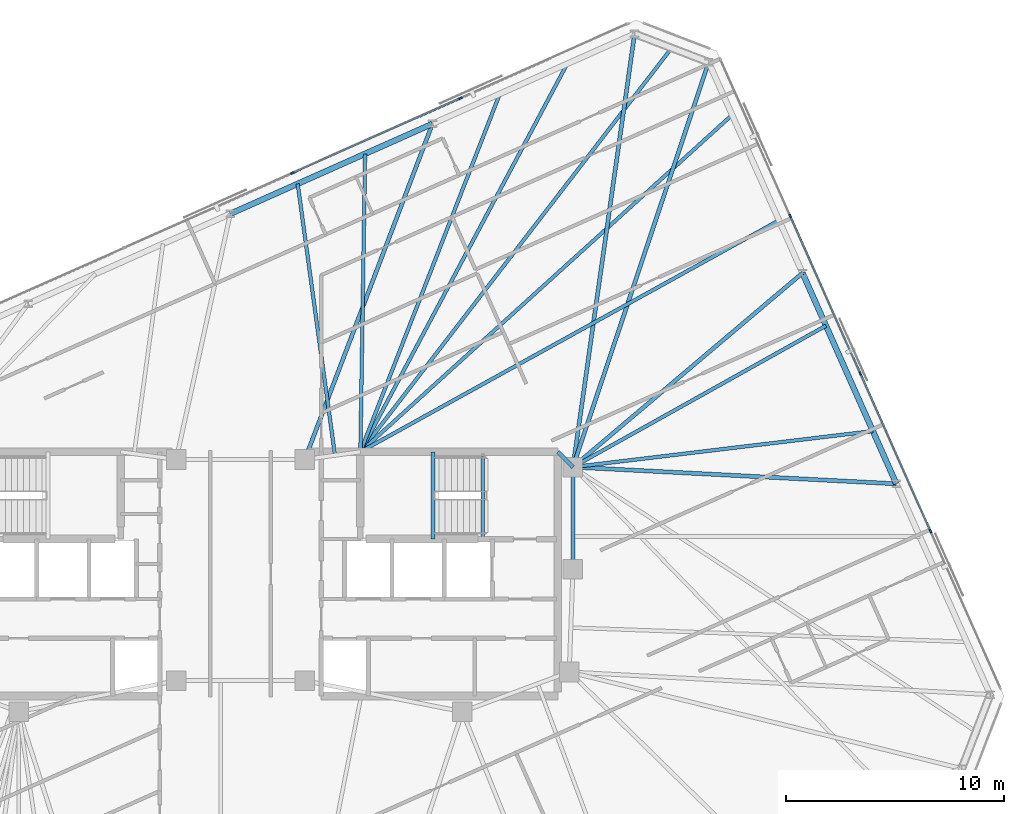
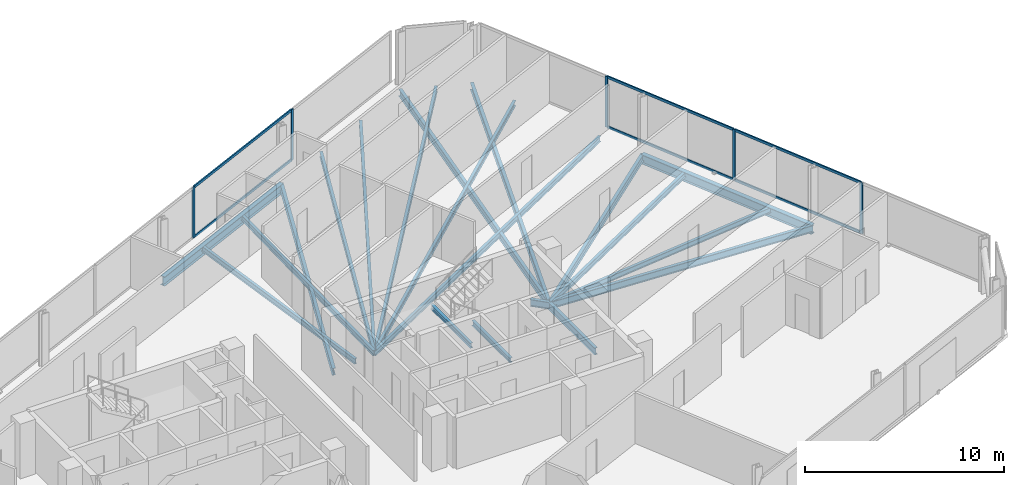
# One storey, part 10 of 19: 20 beams, 11 members, 2 elements without a shape of their own.
"""IFC4 building model written with IfcOpenShell, lengths in metres."""

import ifcopenshell
import ifcopenshell.guid

model = None  # the IFC model being written
_history = None  # IfcOwnerHistory: only IFC2X3 demands one
_inside = {}  # id of a spatial element -> (the spatial element, [elements in it])
_under = {}  # id of a project, library or spatial element -> (it, [spatial elements below it])
_declared = {}  # id of a project -> (the project, [libraries it declares])
_typed = {}  # id of a type object -> (the type object, [elements of that type])
_made_of = {}  # id of a material, layer set ... -> (it, [elements and type objects made of it])


def new_model(schema):
    """Start an empty IFC model of exactly this schema.

    Asked for "IFC4X3", IfcOpenShell would pick the latest addendum, in which some entities
    have other attributes; the version numbers below select the first issue.
    IFC2X3 requires an IfcOwnerHistory on every rooted entity: one is made here for all.
    """
    global model, _history
    if schema == "IFC4X3":
        model = ifcopenshell.file(schema_version=(4, 3, 0, 0))
    else:
        model = ifcopenshell.file(schema=schema)
    _inside.clear()
    _under.clear()
    _declared.clear()
    _typed.clear()
    _made_of.clear()
    _history = None
    if model.schema == "IFC2X3":
        org = make("IfcOrganization", Name="unknown")
        user = make(
            "IfcPersonAndOrganization",
            ThePerson=make("IfcPerson", FamilyName="unknown"),
            TheOrganization=org,
        )
        app = make(
            "IfcApplication",
            ApplicationDeveloper=org,
            Version="unknown",
            ApplicationFullName="unknown",
            ApplicationIdentifier="unknown",
        )
        _history = make(
            "IfcOwnerHistory",
            OwningUser=user,
            OwningApplication=app,
            ChangeAction="ADDED",
            CreationDate=0,
        )
    return model


def make(cls, **values):
    """One entity of the class cls with the attributes given. An attribute that is None is left unset."""
    return model.create_entity(
        cls, **{name: value for name, value in values.items() if value is not None}
    )


def rooted(cls, **values):
    """An entity with a GlobalId (a new one), such as an element, a storey or a relation."""
    return make(cls, GlobalId=ifcopenshell.guid.new(), OwnerHistory=_history, **values)


def si_unit(unit_type, name, prefix=None):
    """IfcSIUnit, for example si_unit("LENGTHUNIT", "METRE", prefix="MILLI")."""
    return make("IfcSIUnit", UnitType=unit_type, Prefix=prefix, Name=name)


def assignment(units):
    """IfcUnitAssignment: the units of a project."""
    return None if units is None else make("IfcUnitAssignment", Units=units)


def point(xyz):
    """IfcCartesianPoint."""
    return None if xyz is None else make("IfcCartesianPoint", Coordinates=xyz)


def direction(xyz):
    """IfcDirection."""
    return None if xyz is None else make("IfcDirection", DirectionRatios=xyz)


def frame(location, z_axis=None, x_axis=None):
    """IfcAxis2Placement3D, a coordinate frame: its origin and axes. An axis left out is left unset."""
    return make(
        "IfcAxis2Placement3D",
        Location=point(location),
        Axis=direction(z_axis),
        RefDirection=direction(x_axis),
    )


def frame_2d(location, x_axis=None):
    """IfcAxis2Placement2D, a coordinate frame in the plane: its origin and x axis."""
    return make(
        "IfcAxis2Placement2D", Location=point(location), RefDirection=direction(x_axis)
    )


def origin():
    """The frame at (0, 0, 0) with its axes left unset."""
    return frame((0.0, 0.0, 0.0))


def origin_2d():
    """The frame at (0, 0) in the plane with its x axis left unset."""
    return frame_2d((0.0, 0.0))


def place(relative_to, where):
    """IfcLocalPlacement: puts the frame where relative to a parent placement (None: the world)."""
    return make(
        "IfcLocalPlacement", PlacementRelTo=relative_to, RelativePlacement=where
    )


def context(
    kind, dimensions, precision=None, world=None, true_north=None, identifier=None
):
    """IfcGeometricRepresentationContext, for example the 3D "Model" context."""
    return make(
        "IfcGeometricRepresentationContext",
        ContextIdentifier=identifier,
        ContextType=kind,
        CoordinateSpaceDimension=dimensions,
        Precision=precision,
        WorldCoordinateSystem=world,
        TrueNorth=true_north,
    )


def subcontext(parent, identifier, kind, view, scale=None):
    """IfcGeometricRepresentationSubContext, for example "Body" below "Model"."""
    return make(
        "IfcGeometricRepresentationSubContext",
        ContextIdentifier=identifier,
        ContextType=kind,
        ParentContext=parent,
        TargetScale=scale,
        TargetView=view,
    )


def project(units=None, contexts=None):
    """IfcProject with its units and contexts."""
    return rooted(
        "IfcProject",
        Name="project",
        RepresentationContexts=contexts,
        UnitsInContext=assignment(units),
    )


def spatial(cls, under=None, at=None, **own):
    """A site, building, storey or space (cls), placed at a placement, below another one or the project."""
    s = rooted(cls, ObjectPlacement=at, **own)
    if under is not None:
        _under.setdefault(under.id(), (under, []))[1].append(s)
    return s


def profile(cls, at=None, kind="AREA", **sizes):
    """A parametric profile (cls). Its sizes go by their IFC names, for example OverallWidth=200.0."""
    return make(cls, ProfileType=kind, Position=at, **sizes)


def rectangle(**sizes):
    """IfcRectangleProfileDef."""
    return profile("IfcRectangleProfileDef", **sizes)


def i_section(**sizes):
    """IfcIShapeProfileDef."""
    return profile("IfcIShapeProfileDef", **sizes)


def extrude(swept, where, along, depth):
    """IfcExtrudedAreaSolid: the profile swept, set in the frame where, extruded along a direction by depth."""
    return make(
        "IfcExtrudedAreaSolid",
        SweptArea=swept,
        Position=where,
        ExtrudedDirection=direction(along),
        Depth=depth,
    )


def shape(context_of_items, identifier, shape_type, items):
    """IfcShapeRepresentation: the items that make up one representation, for example the "Body"."""
    return make(
        "IfcShapeRepresentation",
        ContextOfItems=context_of_items,
        RepresentationIdentifier=identifier,
        RepresentationType=shape_type,
        Items=items,
    )


def material(Name=None, Category=None):
    """IfcMaterial."""
    return make("IfcMaterial", Name=Name, Category=Category)


def material_profile(
    of_material, cross_section, Name=None, Category=None, Priority=None
):
    """IfcMaterialProfile: a cross section and its material."""
    return make(
        "IfcMaterialProfile",
        Name=Name,
        Material=of_material,
        Profile=cross_section,
        Priority=Priority,
        Category=Category,
    )


def profile_set(profiles, Name=None, composite=None):
    """IfcMaterialProfileSet."""
    return make(
        "IfcMaterialProfileSet",
        Name=Name,
        MaterialProfiles=profiles,
        CompositeProfile=composite,
    )


def made_of(thing, what):
    """Note that an element or type object is made of a material, layer set ...; save() writes the relation."""
    if what is not None:
        _made_of.setdefault(what.id(), (what, []))[1].append(thing)
    return thing


def type_object(cls, material=None, **own):
    """A type object (cls), such as IfcWallType, which elements share."""
    return made_of(rooted(cls, **own), material)


def element(
    cls,
    number,
    at=None,
    inside=None,
    cuts=None,
    type_object=None,
    material=None,
    context=None,
    identifier="Body",
    shape_type=None,
    held_by="IfcProductDefinitionShape",
    body=None,
    shapes=None,
    **own,
):
    """One element of the class cls, such as IfcWall. Its Tag is "e" and its number.

    at: its placement. inside: the storey or other place that contains it. cuts: it is an
    opening in that element (IfcRelVoidsElement). A single representation is given by context,
    identifier, shape_type and body (its items); several are given by shapes. held_by: the class
    of the entity that holds the representations. save() writes the other relations.
    """
    e = rooted(cls, Tag="e%d" % number, ObjectPlacement=at, **own)
    if body is not None:
        shapes = [shape(context, identifier, shape_type, body)]
    if shapes is not None:
        e.Representation = make(held_by, Representations=shapes)
    if inside is not None:
        _inside.setdefault(inside.id(), (inside, []))[1].append(e)
    if cuts is not None:
        rooted(
            "IfcRelVoidsElement", RelatingBuildingElement=cuts, RelatedOpeningElement=e
        )
    if type_object is not None:
        _typed.setdefault(type_object.id(), (type_object, []))[1].append(e)
    return made_of(e, material)


def aggregate(whole, parts):
    """IfcRelAggregates: a whole, such as a stair, and the parts it consists of."""
    return rooted("IfcRelAggregates", RelatingObject=whole, RelatedObjects=parts)


def save(model, path):
    """Write the relations noted so far, then the file.

    IfcRelAggregates (storeys below a building ...), IfcRelContainedInSpatialStructure (elements
    in a storey), IfcRelDefinesByType, IfcRelAssociatesMaterial and IfcRelDeclares: one each for
    every whole, place, type object, material and project.
    """
    for whole, parts in _under.values():
        aggregate(whole, parts)
    for where, things in _inside.values():
        rooted(
            "IfcRelContainedInSpatialStructure",
            RelatedElements=things,
            RelatingStructure=where,
        )
    for kind, things in _typed.values():
        rooted("IfcRelDefinesByType", RelatedObjects=things, RelatingType=kind)
    for what, things in _made_of.values():
        rooted("IfcRelAssociatesMaterial", RelatedObjects=things, RelatingMaterial=what)
    for by, libraries in _declared.values():
        rooted("IfcRelDeclares", RelatingContext=by, RelatedDefinitions=libraries)
    model.write(path)


model = new_model("IFC4")

# Units and contexts
model_context = context("Model", 3, precision=1e-05, world=origin(), true_north=direction((0.0, 1.0)))
body_context = subcontext(model_context, "Body", "Model", "MODEL_VIEW")
ifc_project = project(units=[si_unit("LENGTHUNIT", "METRE"), si_unit("AREAUNIT", "SQUARE_METRE"), si_unit("VOLUMEUNIT", "CUBIC_METRE"), si_unit("PLANEANGLEUNIT", "RADIAN"), si_unit("MASSUNIT", "GRAM", prefix="KILO")], contexts=[model_context])

# Site, building, storey
site_placement = place(None, origin())
site = spatial("IfcSite", under=ifc_project, at=site_placement, CompositionType="ELEMENT")
building_placement = place(site_placement, origin())
building = spatial("IfcBuilding", under=site, at=building_placement, Name="Menara Jurai Vektor", CompositionType="ELEMENT")
storey_placement = place(building_placement, frame((0.0, 0.0, 288.60009765625)))
storey = spatial("IfcBuildingStorey", under=building, at=storey_placement, Name="L77", CompositionType="ELEMENT", Elevation=288.60009765625)

# Curtain wall, members
ifc_material_1 = material(Name="Anodised Pale Aluminium & Low-E Double Glazing", Category="aluminium")
curtain_wall_type = type_object("IfcCurtainWallType", Name="CW-BLK5", PredefinedType="NOTDEFINED", material=ifc_material_1)
curtain_wall_1_placement = place(storey_placement, origin())
curtain_wall_1 = element("IfcCurtainWall", 1, at=curtain_wall_1_placement, inside=storey, type_object=curtain_wall_type, Name="Unitised Curtain Wall L77 F03", PredefinedType="NOTDEFINED")
ifc_material_2 = material(Name="Anodised Pale Aluminium Mullion", Category="aluminium")
ifc_material_profile_1 = material_profile(ifc_material_2, rectangle(XDim=0.074951171875, YDim=0.175048828125, at=origin_2d()), Name="ALU MUL 75x175")
ifc_profile_set_1 = profile_set([ifc_material_profile_1], Name="Anodised Pale Aluminium Mullion")
member_type_1 = type_object("IfcMemberType", Name="CW-BLK5-MUL", PredefinedType="MULLION", material=ifc_profile_set_1)
member_1_placement = place(storey_placement, frame((31.6533203125, 1.9658203125, 0.0), z_axis=(0.0, 0.0, 1.0), x_axis=(-0.913546127706, -0.406735138086, 0.0)))
member_1 = element("IfcMember", 2, at=member_1_placement, type_object=member_type_1, Name="CW-05 mullion 2", PredefinedType="MULLION", context=body_context, shape_type="SweptSolid", body=[
    extrude(rectangle(XDim=0.074951171875, YDim=0.175048828125, at=origin_2d()), origin(), (0.0, 0.0, 1.0), 3.125),
])
member_2_placement = place(storey_placement, frame((28.43603515625, 9.19189453125, 0.0), z_axis=(0.0, 0.0, 1.0), x_axis=(-0.913546127706, -0.406735138086, 0.0)))
member_2 = element("IfcMember", 3, at=member_2_placement, type_object=member_type_1, Name="CW-05 mullion 3", PredefinedType="MULLION", context=body_context, shape_type="SweptSolid", body=[
    extrude(rectangle(XDim=0.074951171875, YDim=0.175048828125, at=origin_2d()), origin(), (0.0, 0.0, 1.0), 3.125),
])
member_3_placement = place(storey_placement, frame((25.21875, 16.418212890625, 0.0), z_axis=(0.0, 0.0, 1.0), x_axis=(-0.913546127706, -0.406735138086, 0.0)))
member_3 = element("IfcMember", 4, at=member_3_placement, type_object=member_type_1, Name="CW-05 mullion 4", PredefinedType="MULLION", context=body_context, shape_type="SweptSolid", body=[
    extrude(rectangle(XDim=0.074951171875, YDim=0.175048828125, at=origin_2d()), origin(), (0.0, 0.0, 1.0), 3.125),
])

curtain_wall_2_placement = place(storey_placement, origin())
curtain_wall_2 = element("IfcCurtainWall", 5, at=curtain_wall_2_placement, inside=storey, type_object=curtain_wall_type, Name="Unitised Curtain Wall L77 F05", PredefinedType="NOTDEFINED")
member_4_placement = place(storey_placement, frame((10.0927734375, 21.822998046875, 0.0), z_axis=(0.0, 0.0, 1.0), x_axis=(0.406735498684, -0.913545967158, 0.0)))
member_4 = element("IfcMember", 6, at=member_4_placement, type_object=member_type_1, Name="CW-05 mullion 2", PredefinedType="MULLION", context=body_context, shape_type="SweptSolid", body=[
    extrude(rectangle(XDim=0.074951171875, YDim=0.175048828125, at=origin_2d()), origin(), (0.0, 0.0, 1.0), 3.125),
])
member_5_placement = place(storey_placement, frame((2.38232421875, 18.39013671875, 0.0), z_axis=(0.0, 0.0, 1.0), x_axis=(0.406735498684, -0.913545967158, 0.0)))
member_5 = element("IfcMember", 7, at=member_5_placement, type_object=member_type_1, Name="CW-05 mullion 3", PredefinedType="MULLION", context=body_context, shape_type="SweptSolid", body=[
    extrude(rectangle(XDim=0.074951171875, YDim=0.175048828125, at=origin_2d()), origin(), (0.0, 0.0, 1.0), 3.125),
])

# Member
ifc_material_3 = material(Name="Anodised Pale Aluminium Transom", Category="aluminium")
ifc_material_profile_2 = material_profile(ifc_material_3, rectangle(XDim=0.074951171875, YDim=0.155029296875, at=origin_2d()), Name="ALU TRN 75x155")
ifc_profile_set_2 = profile_set([ifc_material_profile_2], Name="Anodised Pale Aluminium Transom")
member_type_2 = type_object("IfcMemberType", Name="CW-BLK5-TRN", PredefinedType="USERDEFINED", material=ifc_profile_set_2)
member_6_placement = place(storey_placement, frame((31.63818359375, 2.0, 0.037353515625), z_axis=(-0.406731062496, 0.913547942256, 0.0), x_axis=(-0.913547942256, -0.406731062496, 0.0)))
member_6 = element("IfcMember", 8, at=member_6_placement, type_object=member_type_2, Name="CW-05 transom 2.1", ObjectType="TRANSOM", PredefinedType="USERDEFINED", context=body_context, shape_type="SweptSolid", body=[
    extrude(rectangle(XDim=0.074951171875, YDim=0.155029296875, at=origin_2d()), origin(), (0.0, 0.0, 1.0), 7.8349609375),
])

member_7_placement = place(storey_placement, frame((31.63818359375, 2.0, 3.08740234375), z_axis=(-0.406731062496, 0.913547942256, 0.0), x_axis=(-0.913547942256, -0.406731062496, 0.0)))
member_7 = element("IfcMember", 9, at=member_7_placement, type_object=member_type_2, Name="CW-05 transom 2.2", ObjectType="TRANSOM", PredefinedType="USERDEFINED", context=body_context, shape_type="SweptSolid", body=[
    extrude(rectangle(XDim=0.074951171875, YDim=0.155029296875, at=origin_2d()), origin(), (0.0, 0.0, 1.0), 7.8349609375),
])

member_8_placement = place(storey_placement, frame((28.4208984375, 9.226318359375, 0.037353515625), z_axis=(-0.40674264085, 0.913542787238, 0.0), x_axis=(-0.913542787238, -0.40674264085, 0.0)))
member_8 = element("IfcMember", 10, at=member_8_placement, type_object=member_type_2, Name="CW-05 transom 3.1", ObjectType="TRANSOM", PredefinedType="USERDEFINED", context=body_context, shape_type="SweptSolid", body=[
    extrude(rectangle(XDim=0.074951171875, YDim=0.155029296875, at=origin_2d()), origin(), (0.0, 0.0, 1.0), 7.8349609375),
])

member_9_placement = place(storey_placement, frame((28.4208984375, 9.226318359375, 3.08740234375), z_axis=(-0.40674264085, 0.913542787238, 0.0), x_axis=(-0.913542787238, -0.40674264085, 0.0)))
member_9 = element("IfcMember", 11, at=member_9_placement, type_object=member_type_2, Name="CW-05 transom 3.2", ObjectType="TRANSOM", PredefinedType="USERDEFINED", context=body_context, shape_type="SweptSolid", body=[
    extrude(rectangle(XDim=0.074951171875, YDim=0.155029296875, at=origin_2d()), origin(), (0.0, 0.0, 1.0), 7.8349609375),
])

aggregate(curtain_wall_1, [member_1, member_2, member_3, member_6, member_7, member_8, member_9])

member_10_placement = place(storey_placement, frame((10.058349609375, 21.807861328125, 0.037353515625), z_axis=(-0.913546575494, -0.406734132331, 0.0), x_axis=(0.406734132331, -0.913546575494, 0.0)))
member_10 = element("IfcMember", 12, at=member_10_placement, type_object=member_type_2, Name="CW-05 transom 2.1", ObjectType="TRANSOM", PredefinedType="USERDEFINED", context=body_context, shape_type="SweptSolid", body=[
    extrude(rectangle(XDim=0.074951171875, YDim=0.155029296875, at=origin_2d()), origin(), (0.0, 0.0, 1.0), 8.364990234375),
])

member_11_placement = place(storey_placement, frame((10.058349609375, 21.807861328125, 3.08740234375), z_axis=(-0.913546575494, -0.406734132331, 0.0), x_axis=(0.406734132331, -0.913546575494, 0.0)))
member_11 = element("IfcMember", 13, at=member_11_placement, type_object=member_type_2, Name="CW-05 transom 2.2", ObjectType="TRANSOM", PredefinedType="USERDEFINED", context=body_context, shape_type="SweptSolid", body=[
    extrude(rectangle(XDim=0.074951171875, YDim=0.155029296875, at=origin_2d()), origin(), (0.0, 0.0, 1.0), 8.364990234375),
])

aggregate(curtain_wall_2, [member_4, member_5, member_10, member_11])

# Beams
ifc_material_4 = material(Name="Steel S355", Category="steel")
ifc_material_profile_3 = material_profile(ifc_material_4, i_section(OverallWidth=0.18505859375, OverallDepth=0.429931640625, WebThickness=0.010986328125, FlangeThickness=0.01806640625, at=origin_2d()), Name="PG 430x185x76")
ifc_profile_set_3 = profile_set([ifc_material_profile_3], Name="Steel S355")
beam_type_1 = type_object("IfcBeamType", Name="STR-BM-430", PredefinedType="BEAM", material=ifc_profile_set_3)
beam_1_placement = place(storey_placement, frame((14.56005859375, 5.60009765625, -0.440185546875), z_axis=(0.701871936926, -0.712303154672, 0.0), x_axis=(0.712303154672, 0.701871936926, 0.0)))
element("IfcBeam", 14, at=beam_1_placement, inside=storey, type_object=beam_type_1, Name="Core Ring Header Girder L77-CHE-N2", PredefinedType="BEAM", context=body_context, shape_type="SweptSolid", body=[
    extrude(i_section(OverallWidth=0.18505859375, OverallDepth=0.429931640625, WebThickness=0.010986328125, FlangeThickness=0.01806640625, at=origin_2d()), origin(), (0.0, 0.0, 1.0), 0.98291015625),
])
beam_2_placement = place(storey_placement, frame((15.25, 0.219970703125, -0.440185546875), z_axis=(0.0, 1.0, 0.0), x_axis=(-1.0, 0.0, 0.0)))
element("IfcBeam", 15, at=beam_2_placement, inside=storey, type_object=beam_type_1, Name="Core Ring Header Girder L77-CHE-E1", PredefinedType="BEAM", context=body_context, shape_type="SweptSolid", body=[
    extrude(i_section(OverallWidth=0.18505859375, OverallDepth=0.429931640625, WebThickness=0.010986328125, FlangeThickness=0.01806640625, at=origin_2d()), origin(), (0.0, 0.0, 1.0), 4.679931640625),
])
beam_3_placement = place(storey_placement, frame((30.086181640625, 4.13330078125, -0.440185546875), z_axis=(-0.998667716832, 0.051602241782, 0.0), x_axis=(-0.051602241782, -0.998667716832, 0.0)))
element("IfcBeam", 16, at=beam_3_placement, inside=storey, type_object=beam_type_1, Name="Radial Floor Girder L77-E2", PredefinedType="BEAM", context=body_context, shape_type="SweptSolid", body=[
    extrude(i_section(OverallWidth=0.18505859375, OverallDepth=0.429931640625, WebThickness=0.010986328125, FlangeThickness=0.01806640625, at=origin_2d()), origin(), (0.0, 0.0, 1.0), 14.85595703125),
])
beam_4_placement = place(storey_placement, frame((25.781005859375, 13.80322265625, -0.440185546875), z_axis=(-0.763655500673, -0.6456239434, 0.0), x_axis=(0.6456239434, -0.763655500673, 0.0)))
element("IfcBeam", 17, at=beam_4_placement, inside=storey, type_object=beam_type_1, Name="Radial Floor Girder L77-E3", PredefinedType="BEAM", context=body_context, shape_type="SweptSolid", body=[
    extrude(i_section(OverallWidth=0.18505859375, OverallDepth=0.429931640625, WebThickness=0.010986328125, FlangeThickness=0.01806640625, at=origin_2d()), origin(), (0.0, 0.0, 1.0), 13.790283203125),
])
beam_5_placement = place(storey_placement, frame((21.4755859375, 23.473388671875, -0.440185546875), z_axis=(-0.317808893183, -0.948154790851, 0.0), x_axis=(0.948154790851, -0.317808893183, 0.0)))
element("IfcBeam", 18, at=beam_5_placement, inside=storey, type_object=beam_type_1, Name="Radial Floor Girder L77-E4", PredefinedType="BEAM", context=body_context, shape_type="SweptSolid", body=[
    extrude(i_section(OverallWidth=0.18505859375, OverallDepth=0.429931640625, WebThickness=0.010986328125, FlangeThickness=0.01806640625, at=origin_2d()), origin(), (0.0, 0.0, 1.0), 19.589111328125),
])
beam_6_placement = place(storey_placement, frame((18.07958984375, 24.777099609375, -0.440185546875), z_axis=(-0.140932755913, -0.990019170678, 0.0), x_axis=(0.990019170678, -0.140932755913, 0.0)))
element("IfcBeam", 19, at=beam_6_placement, inside=storey, type_object=beam_type_1, Name="Radial Floor Girder L77-N1", PredefinedType="BEAM", context=body_context, shape_type="SweptSolid", body=[
    extrude(i_section(OverallWidth=0.18505859375, OverallDepth=0.429931640625, WebThickness=0.010986328125, FlangeThickness=0.01806640625, at=origin_2d()), origin(), (0.0, 0.0, 1.0), 20.07763671875),
])
beam_7_placement = place(storey_placement, frame((8.805908203125, 20.648193359375, -0.440185546875), z_axis=(-0.355464051758, -0.934689952823, 0.0), x_axis=(0.934689952823, -0.355464051758, 0.0)))
element("IfcBeam", 20, at=beam_7_placement, inside=storey, type_object=beam_type_1, Name="Radial Floor Girder L77-N2", PredefinedType="BEAM", context=body_context, shape_type="SweptSolid", body=[
    extrude(i_section(OverallWidth=0.18505859375, OverallDepth=0.429931640625, WebThickness=0.010986328125, FlangeThickness=0.01806640625, at=origin_2d()), origin(), (0.0, 0.0, 1.0), 16.47412109375),
])
ifc_material_profile_4 = material_profile(ifc_material_4, i_section(OverallWidth=0.1650390625, OverallDepth=0.330078125, WebThickness=0.009033203125, FlangeThickness=0.013916015625, at=origin_2d()), Name="PG 330x165x46")
ifc_profile_set_4 = profile_set([ifc_material_profile_4], Name="Steel S355")
beam_type_2 = type_object("IfcBeamType", Name="STR-JS-330", PredefinedType="JOIST", material=ifc_profile_set_4)
beam_8_placement = place(storey_placement, frame((29.010009765625, 6.55078125, -0.39013671875), z_axis=(-0.992879589053, -0.119122296999, 0.0), x_axis=(0.119122296999, -0.992879589053, 0.0)))
element("IfcBeam", 21, at=beam_8_placement, inside=storey, type_object=beam_type_2, Name="Radial Secondary Floor Joist L77-JS10", PredefinedType="JOIST", context=body_context, shape_type="SweptSolid", body=[
    extrude(i_section(OverallWidth=0.1650390625, OverallDepth=0.330078125, WebThickness=0.009033203125, FlangeThickness=0.013916015625, at=origin_2d()), origin(), (0.0, 0.0, 1.0), 13.858642578125),
])
beam_9_placement = place(storey_placement, frame((26.857177734375, 11.3857421875, -0.39013671875), z_axis=(-0.872960269613, -0.487791315705, 0.0), x_axis=(0.487791315705, -0.872960269613, 0.0)))
element("IfcBeam", 22, at=beam_9_placement, inside=storey, type_object=beam_type_2, Name="Radial Secondary Floor Joist L77-JS11", PredefinedType="JOIST", context=body_context, shape_type="SweptSolid", body=[
    extrude(i_section(OverallWidth=0.1650390625, OverallDepth=0.330078125, WebThickness=0.009033203125, FlangeThickness=0.013916015625, at=origin_2d()), origin(), (0.0, 0.0, 1.0), 13.29638671875),
])
beam_10_placement = place(storey_placement, frame((24.70458984375, 16.220703125, -0.39013671875), z_axis=(-0.87509599458, -0.483949377797, 0.0), x_axis=(0.483949377797, -0.87509599458, 0.0)))
element("IfcBeam", 23, at=beam_10_placement, inside=storey, type_object=beam_type_2, Name="Radial Secondary Floor Joist L77-JS12", PredefinedType="JOIST", context=body_context, shape_type="SweptSolid", body=[
    extrude(i_section(OverallWidth=0.1650390625, OverallDepth=0.330078125, WebThickness=0.009033203125, FlangeThickness=0.013916015625, at=origin_2d()), origin(), (0.0, 0.0, 1.0), 21.94580078125),
])
beam_11_placement = place(storey_placement, frame((22.552001953125, 21.055908203125, -0.39013671875), z_axis=(-0.74093432875, -0.67157748658, 0.0), x_axis=(0.67157748658, -0.74093432875, 0.0)))
element("IfcBeam", 24, at=beam_11_placement, inside=storey, type_object=beam_type_2, Name="Radial Secondary Floor Joist L77-JS13", PredefinedType="JOIST", context=body_context, shape_type="SweptSolid", body=[
    extrude(i_section(OverallWidth=0.1650390625, OverallDepth=0.330078125, WebThickness=0.009033203125, FlangeThickness=0.013916015625, at=origin_2d()), origin(), (0.0, 0.0, 1.0), 23.01416015625),
])
beam_12_placement = place(storey_placement, frame((19.777587890625, 24.125244140625, -0.39013671875), z_axis=(-0.610448519134, -0.792055935832, 0.0), x_axis=(0.792055935832, -0.610448519134, 0.0)))
element("IfcBeam", 25, at=beam_12_placement, inside=storey, type_object=beam_type_2, Name="Radial Secondary Floor Joist L77-JS14", PredefinedType="JOIST", context=body_context, shape_type="SweptSolid", body=[
    extrude(i_section(OverallWidth=0.1650390625, OverallDepth=0.330078125, WebThickness=0.009033203125, FlangeThickness=0.013916015625, at=origin_2d()), origin(), (0.0, 0.0, 1.0), 23.388671875),
])
beam_13_placement = place(storey_placement, frame((14.98828125, 23.400634765625, -0.39013671875), z_axis=(-0.470382173413, -0.882462809945, 0.0), x_axis=(0.882462809945, -0.470382173413, 0.0)))
element("IfcBeam", 26, at=beam_13_placement, inside=storey, type_object=beam_type_2, Name="Radial Secondary Floor Joist L77-JS15", PredefinedType="JOIST", context=body_context, shape_type="SweptSolid", body=[
    extrude(i_section(OverallWidth=0.1650390625, OverallDepth=0.330078125, WebThickness=0.009033203125, FlangeThickness=0.013916015625, at=origin_2d()), origin(), (0.0, 0.0, 1.0), 20.17138671875),
])
beam_14_placement = place(storey_placement, frame((11.897216796875, 22.0244140625, -0.39013671875), z_axis=(-0.36293816309, -0.931813226872, 0.0), x_axis=(0.931813226872, -0.36293816309, 0.0)))
element("IfcBeam", 27, at=beam_14_placement, inside=storey, type_object=beam_type_2, Name="Radial Secondary Floor Joist L77-JS16", PredefinedType="JOIST", context=body_context, shape_type="SweptSolid", body=[
    extrude(i_section(OverallWidth=0.1650390625, OverallDepth=0.330078125, WebThickness=0.009033203125, FlangeThickness=0.013916015625, at=origin_2d()), origin(), (0.0, 0.0, 1.0), 17.626220703125),
])
beam_15_placement = place(storey_placement, frame((5.71484375, 19.27197265625, -0.39013671875), z_axis=(-0.01571234584, -0.999876553475, 0.0), x_axis=(0.999876553475, -0.01571234584, 0.0)))
element("IfcBeam", 28, at=beam_15_placement, inside=storey, type_object=beam_type_2, Name="Radial Secondary Floor Joist L77-JS17", PredefinedType="JOIST", context=body_context, shape_type="SweptSolid", body=[
    extrude(i_section(OverallWidth=0.1650390625, OverallDepth=0.330078125, WebThickness=0.009033203125, FlangeThickness=0.013916015625, at=origin_2d()), origin(), (0.0, 0.0, 1.0), 13.673583984375),
])
beam_16_placement = place(storey_placement, frame((2.62353515625, 17.8955078125, -0.39013671875), z_axis=(0.13599011119, -0.990710194587, 0.0), x_axis=(0.990710194587, 0.13599011119, 0.0)))
element("IfcBeam", 29, at=beam_16_placement, inside=storey, type_object=beam_type_2, Name="Radial Secondary Floor Joist L77-JS18", PredefinedType="JOIST", context=body_context, shape_type="SweptSolid", body=[
    extrude(i_section(OverallWidth=0.1650390625, OverallDepth=0.330078125, WebThickness=0.009033203125, FlangeThickness=0.013916015625, at=origin_2d()), origin(), (0.0, 0.0, 1.0), 12.572265625),
])
ifc_material_profile_5 = material_profile(ifc_material_4, i_section(OverallWidth=0.1650390625, OverallDepth=0.302978515625, WebThickness=0.006103515625, FlangeThickness=0.010009765625, FilletRadius=0.009033203125, at=origin_2d()), Name="UKB 305x165x40")
ifc_profile_set_5 = profile_set([ifc_material_profile_5], Name="Steel S355")
beam_type_3 = type_object("IfcBeamType", Name="STR-LN-305", PredefinedType="LINTEL", material=ifc_profile_set_5)
beam_17_placement = place(storey_placement, frame((11.1201171875, 1.60009765625, -0.376708984375), z_axis=(0.0, 1.0, 0.0), x_axis=(-1.0, 0.0, 0.0)))
element("IfcBeam", 30, at=beam_17_placement, inside=storey, type_object=beam_type_3, Name="Stair Well Floor Trimmer ST2 L77", PredefinedType="LINTEL", context=body_context, shape_type="SweptSolid", body=[
    extrude(i_section(OverallWidth=0.1650390625, OverallDepth=0.302978515625, WebThickness=0.006103515625, FlangeThickness=0.010009765625, FilletRadius=0.009033203125, at=origin_2d()), origin(), (0.0, 0.0, 1.0), 3.81982421875),
])
beam_18_placement = place(storey_placement, frame((8.830078125, 1.60009765625, 1.323486328125), z_axis=(0.0, 1.0, 0.0), x_axis=(-1.0, 0.0, 0.0)))
element("IfcBeam", 31, at=beam_18_placement, inside=storey, type_object=beam_type_3, Name="Stair Half-Landing Nosing Trimmer ST2-1 L77", PredefinedType="LINTEL", context=body_context, shape_type="SweptSolid", body=[
    extrude(i_section(OverallWidth=0.1650390625, OverallDepth=0.302978515625, WebThickness=0.006103515625, FlangeThickness=0.010009765625, FilletRadius=0.009033203125, at=origin_2d()), origin(), (0.0, 0.0, 1.0), 4.0),
])
ifc_material_profile_6 = material_profile(ifc_material_4, i_section(OverallWidth=0.260009765625, OverallDepth=0.570068359375, WebThickness=0.013916015625, FlangeThickness=0.02392578125, at=origin_2d()), Name="PG 570x260x145")
ifc_profile_set_6 = profile_set([ifc_material_profile_6], Name="Steel S355")
beam_type_4 = type_object("IfcBeamType", Name="STR-SP-570", PredefinedType="SPANDREL", material=ifc_profile_set_6)
beam_19_placement = place(storey_placement, frame((30.086181640625, 4.13330078125, -0.510009765625), z_axis=(-0.406724751578, 0.913550751986, 0.0), x_axis=(-0.913550751986, -0.406724751578, 0.0)))
element("IfcBeam", 32, at=beam_19_placement, inside=storey, type_object=beam_type_4, Name="Exoskeleton Spandrel Beam L77-08", PredefinedType="SPANDREL", context=body_context, shape_type="SweptSolid", body=[
    extrude(i_section(OverallWidth=0.260009765625, OverallDepth=0.570068359375, WebThickness=0.013916015625, FlangeThickness=0.02392578125, at=origin_2d()), origin(), (0.0, 0.0, 1.0), 10.5849609375),
])
beam_20_placement = place(storey_placement, frame((8.805908203125, 20.648193359375, -0.510009765625), z_axis=(-0.913541582548, -0.406745346568, 0.0), x_axis=(0.406745346568, -0.913541582548, 0.0)))
element("IfcBeam", 33, at=beam_20_placement, inside=storey, type_object=beam_type_4, Name="Exoskeleton Spandrel Beam L77-12", PredefinedType="SPANDREL", context=body_context, shape_type="SweptSolid", body=[
    extrude(i_section(OverallWidth=0.260009765625, OverallDepth=0.570068359375, WebThickness=0.013916015625, FlangeThickness=0.02392578125, at=origin_2d()), origin(), (0.0, 0.0, 1.0), 10.151123046875),
])

save(model, "model.ifc")
